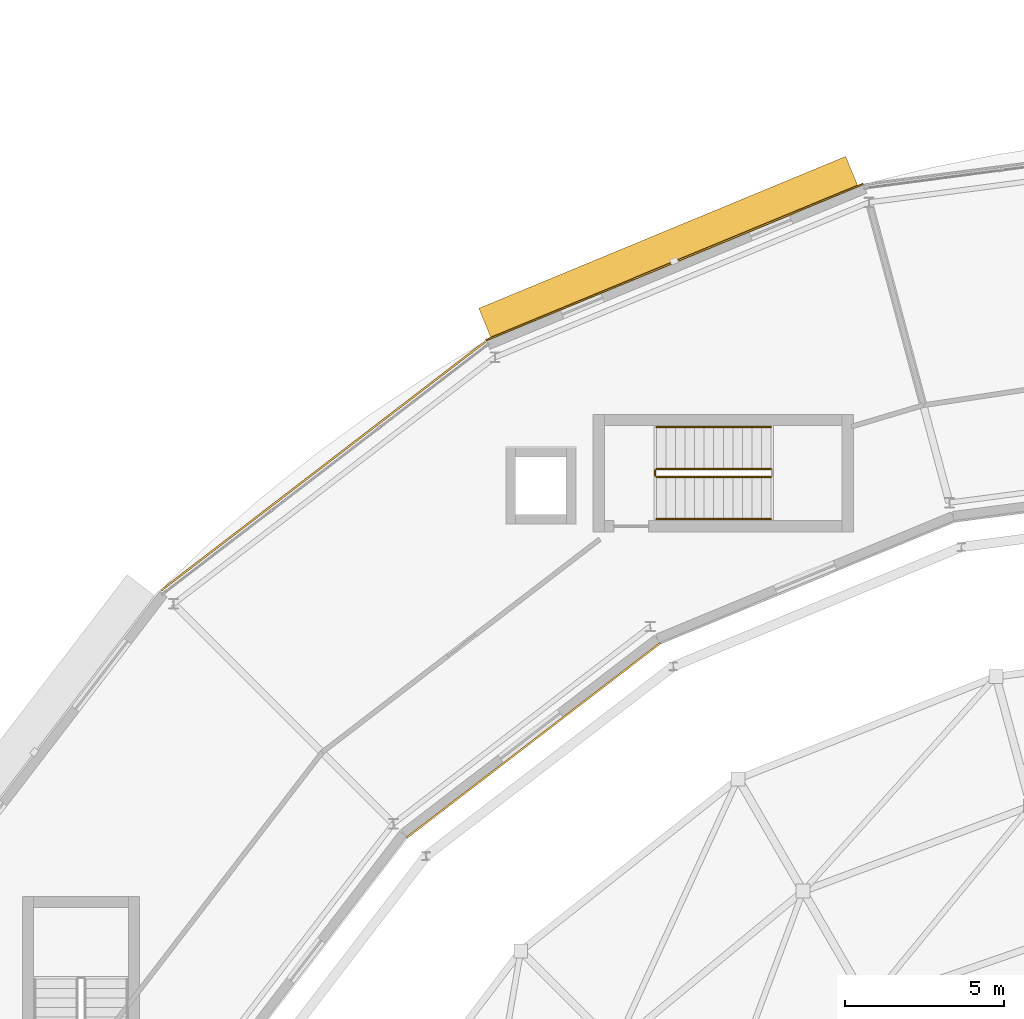
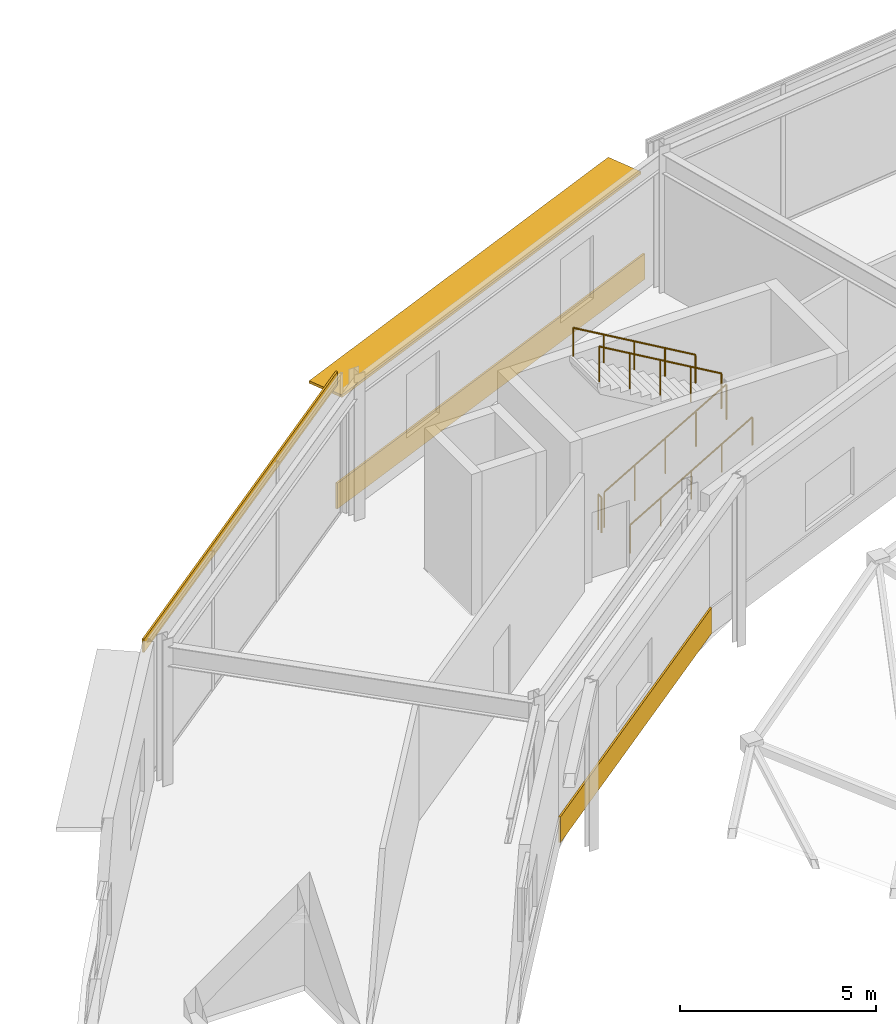
# One storey, part 80 of 89: 5 railings, 3 coverings, 1 shading device.
"""IFC4 building model written with IfcOpenShell, lengths in metres."""

from ifc_helpers import new_model, si_unit, direction, frame, origin, origin_2d, place, context, subcontext, project, spatial, rectangle, circle, extrude, material, layer, layer_set, type_object, element, save


model = new_model("IFC4")

# Units and contexts
model_context = context("Model", 3, precision=1e-05, world=origin(), true_north=direction((0.0, 1.0)))
body_context = subcontext(model_context, "Body", "Model", "MODEL_VIEW")
ifc_project = project(units=[si_unit("LENGTHUNIT", "METRE"), si_unit("AREAUNIT", "SQUARE_METRE"), si_unit("VOLUMEUNIT", "CUBIC_METRE"), si_unit("PLANEANGLEUNIT", "RADIAN"), si_unit("MASSUNIT", "GRAM", prefix="KILO")], contexts=[model_context])

# Site, building, storey
site_placement = place(None, origin())
site = spatial("IfcSite", under=ifc_project, at=site_placement, CompositionType="ELEMENT")
building_placement = place(site_placement, origin())
building = spatial("IfcBuilding", under=site, at=building_placement, Name="Almandine Court Research Institute", CompositionType="ELEMENT")
storey_placement = place(building_placement, frame((0.0, 0.0, 18.89990234375)))
storey = spatial("IfcBuildingStorey", under=building, at=storey_placement, Name="L04", CompositionType="ELEMENT", Elevation=18.89990234375)

# Coverings
ifc_material_1 = material(Name="Extruded Cream-Ochre Seismic Terracotta Spandrel", Category="masonry")
ifc_layer_1 = layer(ifc_material_1, 0.054931640625)
ifc_layer_set_1 = layer_set([ifc_layer_1], Name="Extruded Cream-Ochre Seismic Terracotta Spandrel")
covering_type = type_object("IfcCoveringType", Name="Cov-CLAD-TERR", PredefinedType="CLADDING", material=ifc_layer_set_1)
covering_1_placement = place(storey_placement, frame((68.214111328125, 101.35205078125, 0.02001953125), z_axis=(0.0, 0.0, 1.0), x_axis=(0.923879532511, 0.382683432365, 0.0)))
element("IfcCovering", 1, at=covering_1_placement, inside=storey, type_object=covering_type, Name="L04 Facade Spandrel Cladding Band 416", PredefinedType="CLADDING", context=body_context, shape_type="SweptSolid", body=[
    extrude(rectangle(XDim=12.868896484375, YDim=0.054931640625, at=origin_2d()), origin(), (0.0, 0.0, 1.0), 0.800048828125),
])
covering_2_placement = place(storey_placement, frame((57.135009765625, 94.919921875, 3.920166015625), z_axis=(0.0, 0.0, 1.0), x_axis=(0.793353340291, 0.608761429009, 0.0)))
element("IfcCovering", 2, at=covering_2_placement, inside=storey, type_object=covering_type, Name="L04 Drum Stacked Terracotta Ring Band 08", PredefinedType="CLADDING", context=body_context, shape_type="SweptSolid", body=[
    extrude(rectangle(XDim=12.8779296875, YDim=0.054931640625, at=origin_2d()), origin(), (0.0, 0.0, 1.0), 0.419921875),
])
covering_3_placement = place(storey_placement, frame((63.77001953125, 86.27392578125, 0.02001953125), z_axis=(0.0, 0.0, 1.0), x_axis=(-0.793353340291, -0.608761429009, 0.0)))
element("IfcCovering", 3, at=covering_3_placement, inside=storey, type_object=covering_type, Name="L04 Facade Spandrel Cladding Band 419", PredefinedType="CLADDING", context=body_context, shape_type="SweptSolid", body=[
    extrude(rectangle(XDim=10.080078125, YDim=0.054931640625, at=origin_2d()), origin(), (0.0, 0.0, 1.0), 0.800048828125),
])

# Railings
ifc_material_2 = material(Name="Powder-Coated Steel Stair and Atrium Balustrade", Category="steel")
railing_type_1 = type_object("IfcRailingType", Name="Rail-GUARD-INT", PredefinedType="BALUSTRADE", material=ifc_material_2)
railing_1_placement = place(storey_placement, frame((67.64990234375, 94.570068359375, 0.175048828125)))
element("IfcRailing", 4, at=railing_1_placement, inside=storey, type_object=railing_type_1, Name="L04 ST-10 stair guard 1", PredefinedType="BALUSTRADE", context=body_context, shape_type="SweptSolid", body=[
    extrude(circle(Radius=0.02392578125, at=origin_2d()), frame((0.0, 0.0, 1.09619140625), z_axis=(0.863774651768, 0.0, 0.503878309678), x_axis=(0.0, 1.0, 0.0)), (0.0, 0.0, 1.0), 4.16796875),
    extrude(circle(Radius=0.02099609375, at=origin_2d()), origin(), (0.0, 0.0, 1.0), 1.072021484375),
    extrude(circle(Radius=0.02099609375, at=origin_2d()), frame((0.89990234375, 0.0, 0.52490234375)), (0.0, 0.0, 1.0), 1.072021484375),
    extrude(circle(Radius=0.02099609375, at=origin_2d()), frame((1.800048828125, 0.0, 1.050048828125)), (0.0, 0.0, 1.0), 1.072021484375),
    extrude(circle(Radius=0.02099609375, at=origin_2d()), frame((2.7001953125, 0.0, 1.5751953125)), (0.0, 0.0, 1.0), 1.072021484375),
    extrude(circle(Radius=0.02099609375, at=origin_2d()), frame((3.60009765625, 0.0, 2.10009765625)), (0.0, 0.0, 1.0), 1.072021484375),
])
railing_2_placement = place(storey_placement, frame((71.25, 94.830078125, 2.4501953125)))
element("IfcRailing", 5, at=railing_2_placement, inside=storey, type_object=railing_type_1, Name="L04 ST-10 stair guard 3", PredefinedType="BALUSTRADE", context=body_context, shape_type="SweptSolid", body=[
    extrude(circle(Radius=0.02392578125, at=origin_2d()), frame((0.0, 0.0, 1.09619140625), z_axis=(-0.863800146258, 0.0, 0.503834603144), x_axis=(0.0, -1.0, 0.0)), (0.0, 0.0, 1.0), 4.167724609375),
    extrude(circle(Radius=0.02099609375, at=origin_2d()), origin(), (0.0, 0.0, 1.0), 1.072021484375),
    extrude(circle(Radius=0.02099609375, at=origin_2d()), frame((-0.89990234375, 0.0, 0.52490234375)), (0.0, 0.0, 1.0), 1.072021484375),
    extrude(circle(Radius=0.02099609375, at=origin_2d()), frame((-1.800048828125, 0.0, 1.0498046875)), (0.0, 0.0, 1.0), 1.072021484375),
    extrude(circle(Radius=0.02099609375, at=origin_2d()), frame((-2.7001953125, 0.0, 1.574951171875)), (0.0, 0.0, 1.0), 1.072021484375),
    extrude(circle(Radius=0.02099609375, at=origin_2d()), frame((-3.60009765625, 0.0, 2.099853515625)), (0.0, 0.0, 1.0), 1.072021484375),
])
railing_3_placement = place(storey_placement, frame((67.60009765625, 94.6201171875, 0.0)))
element("IfcRailing", 6, at=railing_3_placement, inside=storey, type_object=railing_type_1, Name="L04 ST-10 stair guard 4", PredefinedType="BALUSTRADE", context=body_context, shape_type="SweptSolid", body=[
    extrude(circle(Radius=0.02392578125, at=origin_2d()), frame((0.0, 0.0, 1.09619140625), z_axis=(0.0, 1.0, 0.0), x_axis=(-1.0, 0.0, 0.0)), (0.0, 0.0, 1.0), 0.159912109375),
    extrude(circle(Radius=0.02099609375, at=origin_2d()), origin(), (0.0, 0.0, 1.0), 1.072021484375),
    extrude(circle(Radius=0.02099609375, at=origin_2d()), frame((0.0, 0.159912109375, 0.0)), (0.0, 0.0, 1.0), 1.072021484375),
])
ifc_material_3 = material(Name="Brushed Stainless Steel Wall Handrail", Category="steel")
railing_type_2 = type_object("IfcRailingType", Name="Rail-HAND-INT", PredefinedType="HANDRAIL", material=ifc_material_3)
railing_4_placement = place(storey_placement, frame((67.64990234375, 93.25, 0.175048828125)))
element("IfcRailing", 7, at=railing_4_placement, inside=storey, type_object=railing_type_2, Name="L04 ST-10 stair handrail 1", PredefinedType="HANDRAIL", context=body_context, shape_type="SweptSolid", body=[
    extrude(circle(Radius=0.02392578125, at=origin_2d()), frame((0.0, 0.0, 0.8759765625), z_axis=(0.863774651768, 0.0, 0.503878309678), x_axis=(0.0, 1.0, 0.0)), (0.0, 0.0, 1.0), 4.16796875),
    extrude(circle(Radius=0.02099609375, at=origin_2d()), origin(), (0.0, 0.0, 1.0), 0.851806640625),
    extrude(circle(Radius=0.02099609375, at=origin_2d()), frame((0.89990234375, 0.0, 0.52490234375)), (0.0, 0.0, 1.0), 0.851806640625),
    extrude(circle(Radius=0.02099609375, at=origin_2d()), frame((1.800048828125, 0.0, 1.050048828125)), (0.0, 0.0, 1.0), 0.851806640625),
    extrude(circle(Radius=0.02099609375, at=origin_2d()), frame((2.7001953125, 0.0, 1.5751953125)), (0.0, 0.0, 1.0), 0.851806640625),
    extrude(circle(Radius=0.02099609375, at=origin_2d()), frame((3.60009765625, 0.0, 2.10009765625)), (0.0, 0.0, 1.0), 0.851806640625),
])
railing_5_placement = place(storey_placement, frame((71.25, 96.14990234375, 2.4501953125)))
element("IfcRailing", 8, at=railing_5_placement, inside=storey, type_object=railing_type_2, Name="L04 ST-10 stair handrail 2", PredefinedType="HANDRAIL", context=body_context, shape_type="SweptSolid", body=[
    extrude(circle(Radius=0.02392578125, at=origin_2d()), frame((0.0, 0.0, 0.8759765625), z_axis=(-0.863800146258, 0.0, 0.503834603144), x_axis=(0.0, -1.0, 0.0)), (0.0, 0.0, 1.0), 4.167724609375),
    extrude(circle(Radius=0.02099609375, at=origin_2d()), origin(), (0.0, 0.0, 1.0), 0.851806640625),
    extrude(circle(Radius=0.02099609375, at=origin_2d()), frame((-0.89990234375, 0.0, 0.52490234375)), (0.0, 0.0, 1.0), 0.851806640625),
    extrude(circle(Radius=0.02099609375, at=origin_2d()), frame((-1.800048828125, 0.0, 1.0498046875)), (0.0, 0.0, 1.0), 0.851806640625),
    extrude(circle(Radius=0.02099609375, at=origin_2d()), frame((-2.7001953125, 0.0, 1.574951171875)), (0.0, 0.0, 1.0), 0.851806640625),
    extrude(circle(Radius=0.02099609375, at=origin_2d()), frame((-3.60009765625, 0.0, 2.099853515625)), (0.0, 0.0, 1.0), 0.851806640625),
])

# Shading device
ifc_material_4 = material(Name="Precast GFRC Chhajja Sunshade and Acoustic Louvre", Category="concrete")
ifc_layer_2 = layer(ifc_material_4, 0.080078125)
ifc_layer_set_2 = layer_set([ifc_layer_2], Name="Precast GFRC Chhajja Sunshade and Acoustic Louvre")
shading_device_type = type_object("IfcShadingDeviceType", Name="Shd-SD-91", PredefinedType="AWNING", material=ifc_layer_set_2)
shading_device_placement = place(storey_placement, frame((68.027099609375, 101.803955078125, 3.39208984375), z_axis=(0.0, 0.0, 1.0), x_axis=(0.923879532511, 0.382683432365, 0.0)))
element("IfcShadingDevice", 9, at=shading_device_placement, inside=storey, type_object=shading_device_type, Name="L04 Projecting Chhajja Sunshade 188", PredefinedType="AWNING", context=body_context, shape_type="SweptSolid", body=[
    extrude(rectangle(XDim=12.51904296875, YDim=1.050048828125, at=origin_2d()), origin(), (0.0, 0.0, 1.0), 0.080078125),
])

save(model, "model.ifc")
